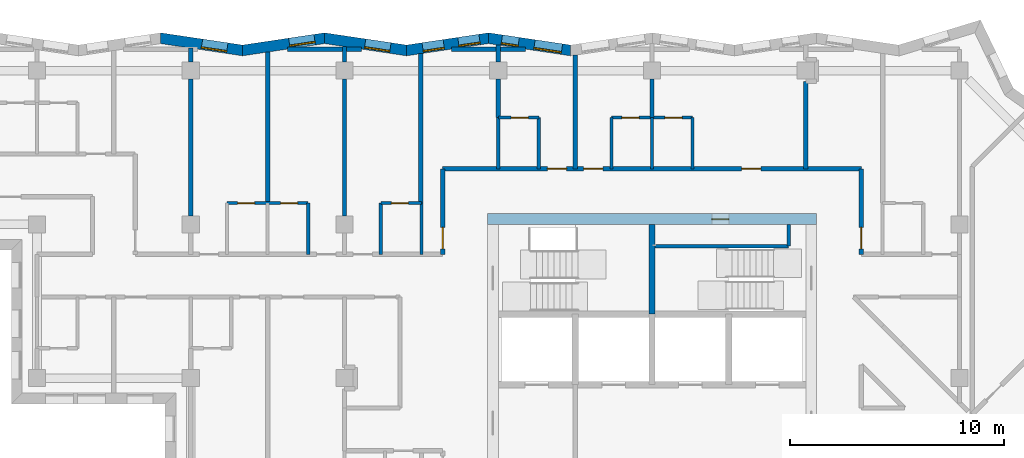
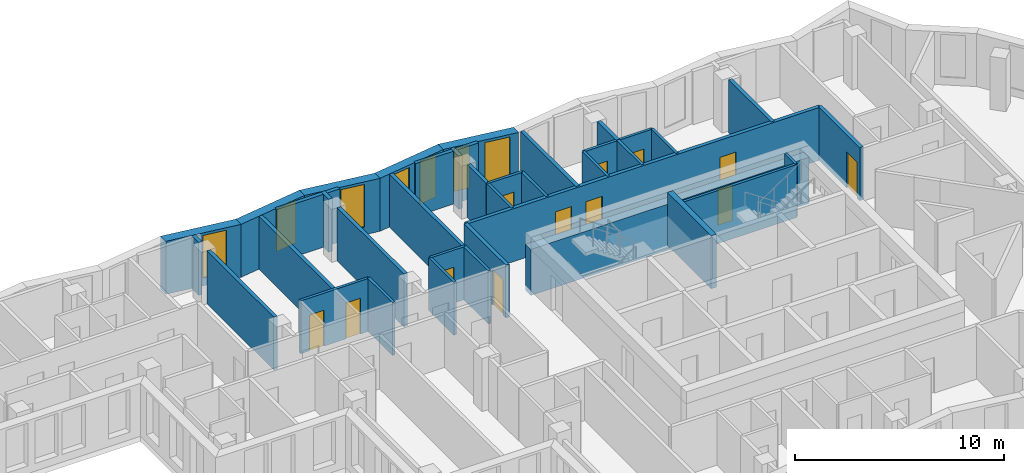
# One storey, part 7 of 13: 37 walls, 12 doors, 7 windows, 19 openings.
"""IFC4 building model written with IfcOpenShell, lengths in metres."""

from ifc_helpers import new_model, si_unit, direction, frame, frame_2d, origin, place, context, subcontext, project, spatial, polyline, rectangle, outline, extrude, material, layer, layer_set, type_object, element, fill, save


model = new_model("IFC4")

# Units and contexts
model_context = context("Model", 3, precision=1e-05, world=origin(), true_north=direction((0.0, 1.0)))
body_context = subcontext(model_context, "Body", "Model", "MODEL_VIEW")
ifc_project = project(units=[si_unit("LENGTHUNIT", "METRE"), si_unit("AREAUNIT", "SQUARE_METRE"), si_unit("VOLUMEUNIT", "CUBIC_METRE"), si_unit("PLANEANGLEUNIT", "RADIAN"), si_unit("MASSUNIT", "GRAM", prefix="KILO")], contexts=[model_context])

# Site, building, storey
site_placement = place(None, origin())
site = spatial("IfcSite", under=ifc_project, at=site_placement, CompositionType="ELEMENT")
building_placement = place(site_placement, origin())
building = spatial("IfcBuilding", under=site, at=building_placement, Name="Windrow Commons", CompositionType="ELEMENT")
storey_placement = place(building_placement, frame((0.0, 0.0, 220.2)))
storey = spatial("IfcBuildingStorey", under=building, at=storey_placement, Name="L60", CompositionType="ELEMENT", Elevation=220.2)

# Wall, openings, windows
ifc_material_1 = material(Name="Brick masonry, red clay brick", Category="masonry")
ifc_layer_1 = layer(ifc_material_1, 0.5)
ifc_layer_set_1 = layer_set([ifc_layer_1], Name="Brick facade wall 500")
wall_type_1 = type_object("IfcWallType", Name="Brick facade wall 500", PredefinedType="SOLIDWALL", material=ifc_layer_set_1)
wall_1_placement = place(storey_placement, frame((60.9845, 72.9472, 0.0), z_axis=(0.0, 0.0, 1.0), x_axis=(-0.9890847468, 0.1473477641, 0.0)))
wall_1 = element("IfcWall", 1, at=wall_1_placement, inside=storey, type_object=wall_type_1, Name="Brick facade wall L60 22", PredefinedType="SOLIDWALL", context=body_context, shape_type="SweptSolid", body=[
    extrude(outline(polyline([(0.0372, -0.25), (3.9192, -0.25), (3.8447, 0.25), (-0.0372, 0.25), (0.0372, -0.25)])), origin(), (0.0, 0.0, 1.0), 3.1),
])
opening_1_placement = place(wall_1_placement, frame((0.4109, 0.0, 0.45)))
opening_1 = element("IfcOpeningElement", 2, at=opening_1_placement, cuts=wall_1, Name="Opening W1Q", PredefinedType="OPENING", context=body_context, shape_type="SweptSolid", body=[
    extrude(rectangle(XDim=1.3, YDim=2.5, at=frame_2d((0.65, 1.25))), frame((0.0, 0.26, 0.0), z_axis=(0.0, -1.0, 0.0), x_axis=(1.0, 0.0, 0.0)), (0.0, 0.0, 1.0), 0.52),
])
opening_2_placement = place(wall_1_placement, frame((2.459, 0.0, 0.45)))
opening_2 = element("IfcOpeningElement", 3, at=opening_2_placement, cuts=wall_1, Name="Opening W1N", PredefinedType="OPENING", context=body_context, shape_type="SweptSolid", body=[
    extrude(rectangle(XDim=0.8, YDim=2.5, at=frame_2d((0.4, 1.25))), frame((0.0, 0.26, 0.0), z_axis=(0.0, -1.0, 0.0), x_axis=(1.0, 0.0, 0.0)), (0.0, 0.0, 1.0), 0.52),
])
ifc_material_2 = material(Name="Clear float glass in anodised aluminium frame", Category="aluminium")
window_type_1 = type_object("IfcWindowType", Name="Window W1N slit 800x2500", PartitioningType="SINGLE_PANEL", PredefinedType="WINDOW", material=ifc_material_2)
window_1_placement = place(opening_2_placement, origin())
window_1 = element("IfcWindow", 4, at=window_1_placement, inside=storey, type_object=window_type_1, Name="Window L60 22.1BA", OverallHeight=2.5, OverallWidth=0.8, PartitioningType="SINGLE_PANEL", PredefinedType="WINDOW", context=body_context, shape_type="SweptSolid", body=[
    extrude(rectangle(XDim=0.8, YDim=2.5, at=frame_2d((0.4, 1.25))), frame((0.0, 0.18, 0.0), z_axis=(0.0, -1.0, 0.0), x_axis=(1.0, 0.0, 0.0)), (0.0, 0.0, 1.0), 0.06),
])
fill(opening_2, window_1)
ifc_material_3 = material(Name="Clear float glass in anodised aluminium frame", Category="aluminium")
window_type_2 = type_object("IfcWindowType", Name="Window W1Q pair 1300x2500", PartitioningType="SINGLE_PANEL", PredefinedType="WINDOW", material=ifc_material_3)
window_2_placement = place(opening_1_placement, origin())
window_2 = element("IfcWindow", 5, at=window_2_placement, inside=storey, type_object=window_type_2, Name="Window L60 22.1A", OverallHeight=2.5, OverallWidth=1.3, PartitioningType="SINGLE_PANEL", PredefinedType="WINDOW", context=body_context, shape_type="SweptSolid", body=[
    extrude(rectangle(XDim=1.3, YDim=2.5, at=frame_2d((0.65, 1.25))), frame((0.0, 0.18, 0.0), z_axis=(0.0, -1.0, 0.0), x_axis=(1.0, 0.0, 0.0)), (0.0, 0.0, 1.0), 0.06),
])
fill(opening_1, window_2)

wall_2_placement = place(storey_placement, frame((57.1449, 73.5192, 0.0), z_axis=(0.0, 0.0, 1.0), x_axis=(-0.9890847468, -0.1473477641, 0.0)))
wall_2 = element("IfcWall", 6, at=wall_2_placement, inside=storey, type_object=wall_type_1, Name="Brick facade wall L60 23", PredefinedType="SOLIDWALL", context=body_context, shape_type="SweptSolid", body=[
    extrude(outline(polyline([(-0.0372, -0.25), (3.8447, -0.25), (3.9192, 0.25), (0.0372, 0.25), (-0.0372, -0.25)])), origin(), (0.0, 0.0, 1.0), 3.1),
])
opening_3_placement = place(wall_2_placement, frame((0.423, 0.0, 0.45)))
opening_3 = element("IfcOpeningElement", 7, at=opening_3_placement, cuts=wall_2, Name="Opening W1S", PredefinedType="OPENING", context=body_context, shape_type="SweptSolid", body=[
    extrude(rectangle(XDim=1.0, YDim=2.5, at=frame_2d((0.5, 1.25))), frame((0.0, 0.26, 0.0), z_axis=(0.0, -1.0, 0.0), x_axis=(1.0, 0.0, 0.0)), (0.0, 0.0, 1.0), 0.52),
])
opening_4_placement = place(wall_2_placement, frame((2.114, 0.0, 0.45)))
opening_4 = element("IfcOpeningElement", 8, at=opening_4_placement, cuts=wall_2, Name="Opening W1S", PredefinedType="OPENING", context=body_context, shape_type="SweptSolid", body=[
    extrude(rectangle(XDim=1.0, YDim=2.5, at=frame_2d((0.5, 1.25))), frame((0.0, 0.26, 0.0), z_axis=(0.0, -1.0, 0.0), x_axis=(1.0, 0.0, 0.0)), (0.0, 0.0, 1.0), 0.52),
])
ifc_material_4 = material(Name="Clear float glass in anodised aluminium frame", Category="aluminium")
window_type_3 = type_object("IfcWindowType", Name="Window W1S slit 1000x2500", PartitioningType="SINGLE_PANEL", PredefinedType="WINDOW", material=ifc_material_4)
window_3_placement = place(opening_3_placement, origin())
window_3 = element("IfcWindow", 9, at=window_3_placement, inside=storey, type_object=window_type_3, Name="Window L60 23.1A", OverallHeight=2.5, OverallWidth=1.0, PartitioningType="SINGLE_PANEL", PredefinedType="WINDOW", context=body_context, shape_type="SweptSolid", body=[
    extrude(rectangle(XDim=1.0, YDim=2.5, at=frame_2d((0.5, 1.25))), frame((0.0, 0.18, 0.0), z_axis=(0.0, -1.0, 0.0), x_axis=(1.0, 0.0, 0.0)), (0.0, 0.0, 1.0), 0.06),
])
fill(opening_3, window_3)
window_4_placement = place(opening_4_placement, origin())
window_4 = element("IfcWindow", 10, at=window_4_placement, inside=storey, type_object=window_type_3, Name="Window L60 23.1B", OverallHeight=2.5, OverallWidth=1.0, PartitioningType="SINGLE_PANEL", PredefinedType="WINDOW", context=body_context, shape_type="SweptSolid", body=[
    extrude(rectangle(XDim=1.0, YDim=2.5, at=frame_2d((0.5, 1.25))), frame((0.0, 0.18, 0.0), z_axis=(0.0, -1.0, 0.0), x_axis=(1.0, 0.0, 0.0)), (0.0, 0.0, 1.0), 0.06),
])
fill(opening_4, window_4)

# Wall, opening, window
wall_3_placement = place(storey_placement, frame((53.3053, 72.9472, 0.0), z_axis=(0.0, 0.0, 1.0), x_axis=(-0.9890847468, 0.1473477641, 0.0)))
wall_3 = element("IfcWall", 11, at=wall_3_placement, inside=storey, type_object=wall_type_1, Name="Brick facade wall L60 24", PredefinedType="SOLIDWALL", context=body_context, shape_type="SweptSolid", body=[
    extrude(outline(polyline([(0.0372, -0.25), (3.9192, -0.25), (3.8447, 0.25), (-0.0372, 0.25), (0.0372, -0.25)])), origin(), (0.0, 0.0, 1.0), 3.1),
])
opening_5_placement = place(wall_3_placement, frame((0.7687, 0.0, 0.45)))
opening_5 = element("IfcOpeningElement", 12, at=opening_5_placement, cuts=wall_3, Name="Opening W7E", PredefinedType="OPENING", context=body_context, shape_type="SweptSolid", body=[
    extrude(rectangle(XDim=1.2, YDim=2.5, at=frame_2d((0.6, 1.25))), frame((0.0, 0.26, 0.0), z_axis=(0.0, -1.0, 0.0), x_axis=(1.0, 0.0, 0.0)), (0.0, 0.0, 1.0), 0.52),
])
ifc_material_5 = material(Name="Clear float glass in anodised aluminium frame", Category="aluminium")
window_type_4 = type_object("IfcWindowType", Name="Window W7 notch 1200x2500", PartitioningType="SINGLE_PANEL", PredefinedType="WINDOW", material=ifc_material_5)
window_5_placement = place(opening_5_placement, origin())
window_5 = element("IfcWindow", 13, at=window_5_placement, inside=storey, type_object=window_type_4, Name="Window L60 24.1", OverallHeight=2.5, OverallWidth=1.2, PartitioningType="SINGLE_PANEL", PredefinedType="WINDOW", context=body_context, shape_type="SweptSolid", body=[
    extrude(rectangle(XDim=1.2, YDim=2.5, at=frame_2d((0.6, 1.25))), frame((0.0, 0.18, 0.0), z_axis=(0.0, -1.0, 0.0), x_axis=(1.0, 0.0, 0.0)), (0.0, 0.0, 1.0), 0.06),
])
fill(opening_5, window_5)

wall_4_placement = place(storey_placement, frame((49.4657, 73.5192, 0.0), z_axis=(0.0, 0.0, 1.0), x_axis=(-0.9890847468, -0.1473477641, 0.0)))
wall_4 = element("IfcWall", 14, at=wall_4_placement, inside=storey, type_object=wall_type_1, Name="Brick facade wall L60 25", PredefinedType="SOLIDWALL", context=body_context, shape_type="SweptSolid", body=[
    extrude(outline(polyline([(-0.0372, -0.25), (3.8447, -0.25), (3.9192, 0.25), (0.0372, 0.25), (-0.0372, -0.25)])), origin(), (0.0, 0.0, 1.0), 3.1),
])
opening_6_placement = place(wall_4_placement, frame((0.4662, 0.0, 0.45)))
opening_6 = element("IfcOpeningElement", 15, at=opening_6_placement, cuts=wall_4, Name="Opening W7E", PredefinedType="OPENING", context=body_context, shape_type="SweptSolid", body=[
    extrude(rectangle(XDim=1.2, YDim=2.5, at=frame_2d((0.6, 1.25))), frame((0.0, 0.26, 0.0), z_axis=(0.0, -1.0, 0.0), x_axis=(1.0, 0.0, 0.0)), (0.0, 0.0, 1.0), 0.52),
])
window_6_placement = place(opening_6_placement, origin())
window_6 = element("IfcWindow", 16, at=window_6_placement, inside=storey, type_object=window_type_4, Name="Window L60 25.1", OverallHeight=2.5, OverallWidth=1.2, PartitioningType="SINGLE_PANEL", PredefinedType="WINDOW", context=body_context, shape_type="SweptSolid", body=[
    extrude(rectangle(XDim=1.2, YDim=2.5, at=frame_2d((0.6, 1.25))), frame((0.0, 0.14, 0.0), z_axis=(0.0, -1.0, 0.0), x_axis=(1.0, 0.0, 0.0)), (0.0, 0.0, 1.0), 0.06),
])
fill(opening_6, window_6)

wall_5_placement = place(storey_placement, frame((45.6261, 72.9472, 0.0), z_axis=(0.0, 0.0, 1.0), x_axis=(-0.9890853061, 0.14734401, 0.0)))
wall_5 = element("IfcWall", 17, at=wall_5_placement, inside=storey, type_object=wall_type_1, Name="Brick facade wall L60 26", PredefinedType="SOLIDWALL", context=body_context, shape_type="SweptSolid", body=[
    extrude(outline(polyline([(0.0372, -0.25), (3.9192, -0.25), (3.8447, 0.25), (-0.0372, 0.25), (0.0372, -0.25)])), origin(), (0.0, 0.0, 1.0), 3.1),
])
opening_7_placement = place(wall_5_placement, frame((0.7264, 0.0, 0.45)))
opening_7 = element("IfcOpeningElement", 18, at=opening_7_placement, cuts=wall_5, Name="Opening W7E", PredefinedType="OPENING", context=body_context, shape_type="SweptSolid", body=[
    extrude(rectangle(XDim=1.2, YDim=2.5, at=frame_2d((0.6, 1.25))), frame((0.0, 0.26, 0.0), z_axis=(0.0, -1.0, 0.0), x_axis=(1.0, 0.0, 0.0)), (0.0, 0.0, 1.0), 0.52),
])
window_7_placement = place(opening_7_placement, origin())
window_7 = element("IfcWindow", 19, at=window_7_placement, inside=storey, type_object=window_type_4, Name="Window L60 26.1", OverallHeight=2.5, OverallWidth=1.2, PartitioningType="SINGLE_PANEL", PredefinedType="WINDOW", context=body_context, shape_type="SweptSolid", body=[
    extrude(rectangle(XDim=1.2, YDim=2.5, at=frame_2d((0.6, 1.25))), frame((0.0, 0.18, 0.0), z_axis=(0.0, -1.0, 0.0), x_axis=(1.0, 0.0, 0.0)), (0.0, 0.0, 1.0), 0.06),
])
fill(opening_7, window_7)

# Wall, openings, doors
ifc_material_6 = material(Name="Blockwork partition", Category="masonry")
ifc_layer_2 = layer(ifc_material_6, 0.2)
ifc_layer_set_2 = layer_set([ifc_layer_2], Name="IW-CORRIDOR-200")
wall_type_2 = type_object("IfcWallType", Name="IW-CORRIDOR-200", PredefinedType="PARTITIONING", material=ifc_layer_set_2)
wall_6_placement = place(storey_placement, frame((55.0, 67.4, 0.0), z_axis=(0.0, 0.0, 1.0), x_axis=(1.0, 0.0, 0.0)))
wall_6 = element("IfcWall", 20, at=wall_6_placement, inside=storey, type_object=wall_type_2, Name="W-L60-W000", PredefinedType="PARTITIONING", context=body_context, shape_type="SweptSolid", body=[
    extrude(rectangle(XDim=19.6, YDim=0.2, at=frame_2d((9.8, 0.0))), origin(), (0.0, 0.0, 1.0), 3.1),
])
opening_8_placement = place(wall_6_placement, frame((4.9, 0.0, 0.0)))
opening_8 = element("IfcOpeningElement", 21, at=opening_8_placement, cuts=wall_6, Name="Opening D109S", PredefinedType="OPENING", context=body_context, shape_type="SweptSolid", body=[
    extrude(rectangle(XDim=0.9, YDim=2.1, at=frame_2d((0.45, 1.05))), frame((0.0, 0.11, 0.0), z_axis=(0.0, -1.0, 0.0), x_axis=(1.0, 0.0, 0.0)), (0.0, 0.0, 1.0), 0.22),
])
opening_9_placement = place(wall_6_placement, frame((6.6, 0.0, 0.0)))
opening_9 = element("IfcOpeningElement", 22, at=opening_9_placement, cuts=wall_6, Name="Opening D109S", PredefinedType="OPENING", context=body_context, shape_type="SweptSolid", body=[
    extrude(rectangle(XDim=0.9, YDim=2.1, at=frame_2d((0.45, 1.05))), frame((0.0, 0.11, 0.0), z_axis=(0.0, -1.0, 0.0), x_axis=(1.0, 0.0, 0.0)), (0.0, 0.0, 1.0), 0.22),
])
opening_10_placement = place(wall_6_placement, frame((14.0006, 0.0, 0.0)))
opening_10 = element("IfcOpeningElement", 23, at=opening_10_placement, cuts=wall_6, Name="Opening D109F", PredefinedType="OPENING", context=body_context, shape_type="SweptSolid", body=[
    extrude(rectangle(XDim=0.9, YDim=2.1, at=frame_2d((0.45, 1.05))), frame((0.0, 0.11, 0.0), z_axis=(0.0, -1.0, 0.0), x_axis=(1.0, 0.0, 0.0)), (0.0, 0.0, 1.0), 0.22),
])
ifc_material_7 = material(Name="Timber door leaf", Category="wood")
door_type_1 = type_object("IfcDoorType", Name="DT-BEDROOM-900", OperationType="SINGLE_SWING_LEFT", PredefinedType="DOOR", material=ifc_material_7)
door_1_placement = place(opening_8_placement, origin())
door_1 = element("IfcDoor", 24, at=door_1_placement, inside=storey, type_object=door_type_1, Name="D-L60-D037", OperationType="SINGLE_SWING_RIGHT", OverallHeight=2.1, OverallWidth=0.9, PredefinedType="DOOR", context=body_context, shape_type="SweptSolid", body=[
    extrude(rectangle(XDim=0.9, YDim=2.1, at=frame_2d((0.45, 1.05))), frame((0.0, 0.025, 0.0), z_axis=(0.0, -1.0, 0.0), x_axis=(1.0, 0.0, 0.0)), (0.0, 0.0, 1.0), 0.05),
])
fill(opening_8, door_1)
door_2_placement = place(opening_9_placement, origin())
door_2 = element("IfcDoor", 25, at=door_2_placement, inside=storey, type_object=door_type_1, Name="D-L60-D039", OperationType="SINGLE_SWING_LEFT", OverallHeight=2.1, OverallWidth=0.9, PredefinedType="DOOR", context=body_context, shape_type="SweptSolid", body=[
    extrude(rectangle(XDim=0.9, YDim=2.1, at=frame_2d((0.45, 1.05))), frame((0.0, 0.025, 0.0), z_axis=(0.0, -1.0, 0.0), x_axis=(1.0, 0.0, 0.0)), (0.0, 0.0, 1.0), 0.05),
])
fill(opening_9, door_2)
door_3_placement = place(opening_10_placement, origin())
door_3 = element("IfcDoor", 26, at=door_3_placement, inside=storey, type_object=door_type_1, Name="D-L60-D041", OperationType="SINGLE_SWING_RIGHT", OverallHeight=2.1, OverallWidth=0.9, PredefinedType="DOOR", context=body_context, shape_type="SweptSolid", body=[
    extrude(rectangle(XDim=0.9, YDim=2.1, at=frame_2d((0.45, 1.05))), frame((0.0, 0.025, 0.0), z_axis=(0.0, -1.0, 0.0), x_axis=(1.0, 0.0, 0.0)), (0.0, 0.0, 1.0), 0.05),
])
fill(opening_10, door_3)

# Wall, opening, door
wall_7_placement = place(storey_placement, frame((55.0, 63.402, 0.0), z_axis=(0.0, 0.0, 1.0), x_axis=(0.0, 1.0, 0.0)))
wall_7 = element("IfcWall", 27, at=wall_7_placement, inside=storey, type_object=wall_type_2, Name="W-L60-W045", PredefinedType="PARTITIONING", context=body_context, shape_type="SweptSolid", body=[
    extrude(rectangle(XDim=3.998, YDim=0.2, at=frame_2d((1.999, 0.0))), origin(), (0.0, 0.0, 1.0), 3.1),
])
opening_11_placement = place(wall_7_placement, frame((0.2545, 0.0, 0.0)))
opening_11 = element("IfcOpeningElement", 28, at=opening_11_placement, cuts=wall_7, Name="Opening D310F", PredefinedType="OPENING", context=body_context, shape_type="SweptSolid", body=[
    extrude(rectangle(XDim=1.0, YDim=2.1, at=frame_2d((0.5, 1.05))), frame((0.0, 0.11, 0.0), z_axis=(0.0, -1.0, 0.0), x_axis=(1.0, 0.0, 0.0)), (0.0, 0.0, 1.0), 0.22),
])
ifc_material_8 = material(Name="Timber door leaf", Category="wood")
door_type_2 = type_object("IfcDoorType", Name="DT-AMENITY-1000", OperationType="SINGLE_SWING_LEFT", PredefinedType="DOOR", material=ifc_material_8)
door_4_placement = place(opening_11_placement, origin())
door_4 = element("IfcDoor", 29, at=door_4_placement, inside=storey, type_object=door_type_2, Name="D-L60-D021", OperationType="SINGLE_SWING_LEFT", OverallHeight=2.1, OverallWidth=1.0, PredefinedType="DOOR", context=body_context, shape_type="SweptSolid", body=[
    extrude(rectangle(XDim=1.0, YDim=2.1, at=frame_2d((0.5, 1.05))), frame((0.0, 0.025, 0.0), z_axis=(0.0, -1.0, 0.0), x_axis=(1.0, 0.0, 0.0)), (0.0, 0.0, 1.0), 0.05),
])
fill(opening_11, door_4)

wall_8_placement = place(storey_placement, frame((74.6, 63.402, 0.0), z_axis=(0.0, 0.0, 1.0), x_axis=(0.0, 1.0, 0.0)))
wall_8 = element("IfcWall", 30, at=wall_8_placement, inside=storey, type_object=wall_type_2, Name="W-L60-W046", PredefinedType="PARTITIONING", context=body_context, shape_type="SweptSolid", body=[
    extrude(rectangle(XDim=3.998, YDim=0.2, at=frame_2d((1.999, 0.0))), origin(), (0.0, 0.0, 1.0), 3.1),
])
opening_12_placement = place(wall_8_placement, frame((0.2545, 0.0, 0.0)))
opening_12 = element("IfcOpeningElement", 31, at=opening_12_placement, cuts=wall_8, Name="Opening D310F", PredefinedType="OPENING", context=body_context, shape_type="SweptSolid", body=[
    extrude(rectangle(XDim=1.0, YDim=2.1, at=frame_2d((0.5, 1.05))), frame((0.0, 0.11, 0.0), z_axis=(0.0, -1.0, 0.0), x_axis=(1.0, 0.0, 0.0)), (0.0, 0.0, 1.0), 0.22),
])
door_5_placement = place(opening_12_placement, origin())
door_5 = element("IfcDoor", 32, at=door_5_placement, inside=storey, type_object=door_type_2, Name="D-L60-D022", OperationType="SINGLE_SWING_RIGHT", OverallHeight=2.1, OverallWidth=1.0, PredefinedType="DOOR", context=body_context, shape_type="SweptSolid", body=[
    extrude(rectangle(XDim=1.0, YDim=2.1, at=frame_2d((0.5, 1.05))), frame((0.0, 0.025, 0.0), z_axis=(0.0, -1.0, 0.0), x_axis=(1.0, 0.0, 0.0)), (0.0, 0.0, 1.0), 0.05),
])
fill(opening_12, door_5)

# Wall, openings, doors
ifc_material_9 = material(Name="Blockwork partition", Category="masonry")
ifc_layer_3 = layer(ifc_material_9, 0.15)
ifc_layer_set_3 = layer_set([ifc_layer_3], Name="IW-ENSUITE-150")
wall_type_3 = type_object("IfcWallType", Name="IW-ENSUITE-150", PredefinedType="PARTITIONING", material=ifc_layer_set_3)
wall_9_placement = place(storey_placement, frame((44.9, 65.8, 0.0), z_axis=(0.0, 0.0, 1.0), x_axis=(1.0, 0.0, 0.0)))
wall_9 = element("IfcWall", 33, at=wall_9_placement, inside=storey, type_object=wall_type_3, Name="W-L60-W048", PredefinedType="PARTITIONING", context=body_context, shape_type="SweptSolid", body=[
    extrude(rectangle(XDim=3.8, YDim=0.15, at=frame_2d((1.9, 0.0))), origin(), (0.0, 0.0, 1.0), 3.1),
])
opening_13_placement = place(wall_9_placement, frame((0.4931, 0.0, 0.0)))
opening_13 = element("IfcOpeningElement", 34, at=opening_13_placement, cuts=wall_9, Name="Opening D208N", PredefinedType="OPENING", context=body_context, shape_type="SweptSolid", body=[
    extrude(rectangle(XDim=0.8, YDim=2.1, at=frame_2d((0.4, 1.05))), frame((0.0, 0.085, 0.0), z_axis=(0.0, -1.0, 0.0), x_axis=(1.0, 0.0, 0.0)), (0.0, 0.0, 1.0), 0.17),
])
opening_14_placement = place(wall_9_placement, frame((2.5069, 0.0, 0.0)))
opening_14 = element("IfcOpeningElement", 35, at=opening_14_placement, cuts=wall_9, Name="Opening D208N", PredefinedType="OPENING", context=body_context, shape_type="SweptSolid", body=[
    extrude(rectangle(XDim=0.8, YDim=2.1, at=frame_2d((0.4, 1.05))), frame((0.0, 0.085, 0.0), z_axis=(0.0, -1.0, 0.0), x_axis=(1.0, 0.0, 0.0)), (0.0, 0.0, 1.0), 0.17),
])
ifc_material_10 = material(Name="Timber door leaf", Category="wood")
door_type_3 = type_object("IfcDoorType", Name="DT-ENSUITE-800", OperationType="SINGLE_SWING_LEFT", PredefinedType="DOOR", material=ifc_material_10)
door_6_placement = place(opening_13_placement, origin())
door_6 = element("IfcDoor", 36, at=door_6_placement, inside=storey, type_object=door_type_3, Name="D-L60-D016", OperationType="SINGLE_SWING_RIGHT", OverallHeight=2.1, OverallWidth=0.8, PredefinedType="DOOR", context=body_context, shape_type="SweptSolid", body=[
    extrude(rectangle(XDim=0.8, YDim=2.1, at=frame_2d((0.4, 1.05))), frame((0.0, 0.025, 0.0), z_axis=(0.0, -1.0, 0.0), x_axis=(1.0, 0.0, 0.0)), (0.0, 0.0, 1.0), 0.05),
])
fill(opening_13, door_6)
door_7_placement = place(opening_14_placement, origin())
door_7 = element("IfcDoor", 37, at=door_7_placement, inside=storey, type_object=door_type_3, Name="D-L60-D018", OperationType="SINGLE_SWING_RIGHT", OverallHeight=2.1, OverallWidth=0.8, PredefinedType="DOOR", context=body_context, shape_type="SweptSolid", body=[
    extrude(rectangle(XDim=0.8, YDim=2.1, at=frame_2d((0.4, 1.05))), frame((0.0, 0.025, 0.0), z_axis=(0.0, -1.0, 0.0), x_axis=(1.0, 0.0, 0.0)), (0.0, 0.0, 1.0), 0.05),
])
fill(opening_14, door_7)

wall_10_placement = place(storey_placement, frame((62.9, 69.8, 0.0), z_axis=(0.0, 0.0, 1.0), x_axis=(1.0, 0.0, 0.0)))
wall_10 = element("IfcWall", 38, at=wall_10_placement, inside=storey, type_object=wall_type_3, Name="W-L60-W049", PredefinedType="PARTITIONING", context=body_context, shape_type="SweptSolid", body=[
    extrude(rectangle(XDim=3.8, YDim=0.15, at=frame_2d((1.9, 0.0))), origin(), (0.0, 0.0, 1.0), 3.1),
])
opening_15_placement = place(wall_10_placement, frame((0.4931, 0.0, 0.0)))
opening_15 = element("IfcOpeningElement", 39, at=opening_15_placement, cuts=wall_10, Name="Opening D208N", PredefinedType="OPENING", context=body_context, shape_type="SweptSolid", body=[
    extrude(rectangle(XDim=0.8, YDim=2.1, at=frame_2d((0.4, 1.05))), frame((0.0, 0.085, 0.0), z_axis=(0.0, -1.0, 0.0), x_axis=(1.0, 0.0, 0.0)), (0.0, 0.0, 1.0), 0.17),
])
opening_16_placement = place(wall_10_placement, frame((2.5069, 0.0, 0.0)))
opening_16 = element("IfcOpeningElement", 40, at=opening_16_placement, cuts=wall_10, Name="Opening D208N", PredefinedType="OPENING", context=body_context, shape_type="SweptSolid", body=[
    extrude(rectangle(XDim=0.8, YDim=2.1, at=frame_2d((0.4, 1.05))), frame((0.0, 0.085, 0.0), z_axis=(0.0, -1.0, 0.0), x_axis=(1.0, 0.0, 0.0)), (0.0, 0.0, 1.0), 0.17),
])
door_8_placement = place(opening_15_placement, origin())
door_8 = element("IfcDoor", 41, at=door_8_placement, inside=storey, type_object=door_type_3, Name="D-L60-D040", OperationType="SINGLE_SWING_RIGHT", OverallHeight=2.1, OverallWidth=0.8, PredefinedType="DOOR", context=body_context, shape_type="SweptSolid", body=[
    extrude(rectangle(XDim=0.8, YDim=2.1, at=frame_2d((0.4, 1.05))), frame((0.0, 0.025, 0.0), z_axis=(0.0, -1.0, 0.0), x_axis=(1.0, 0.0, 0.0)), (0.0, 0.0, 1.0), 0.05),
])
fill(opening_15, door_8)
door_9_placement = place(opening_16_placement, origin())
door_9 = element("IfcDoor", 42, at=door_9_placement, inside=storey, type_object=door_type_3, Name="D-L60-D042", OperationType="SINGLE_SWING_RIGHT", OverallHeight=2.1, OverallWidth=0.8, PredefinedType="DOOR", context=body_context, shape_type="SweptSolid", body=[
    extrude(rectangle(XDim=0.8, YDim=2.1, at=frame_2d((0.4, 1.05))), frame((0.0, 0.025, 0.0), z_axis=(0.0, -1.0, 0.0), x_axis=(1.0, 0.0, 0.0)), (0.0, 0.0, 1.0), 0.05),
])
fill(opening_16, door_9)

# Walls
for number, where, z_axis, x_axis, name in (
    (43, (48.7, 63.4, 0.0), (0.0, 0.0, 1.0), (0.0, 1.0, 0.0), "W-L60-W086"),
    (44, (52.1, 63.4, 0.0), (0.0, 0.0, 1.0), (0.0, 1.0, 0.0), "W-L60-W087"),
    (45, (54.0, 63.4, 0.0), (0.0, 0.0, 1.0), (0.0, 1.0, 0.0), "W-L60-W088"),
    (46, (59.5, 67.4, 0.0), (0.0, 0.0, 1.0), (0.0, 1.0, 0.0), "W-L60-W096"),
    (47, (57.6, 67.4, 0.0), (0.0, 0.0, 1.0), (0.0, 1.0, 0.0), "W-L60-W097"),
    (48, (62.9, 67.4, 0.0), (0.0, 0.0, 1.0), (0.0, 1.0, 0.0), "W-L60-W098"),
    (49, (64.8, 67.4, 0.0), (0.0, 0.0, 1.0), (0.0, 1.0, 0.0), "W-L60-W099"),
    (50, (66.7, 67.4, 0.0), (0.0, 0.0, 1.0), (0.0, 1.0, 0.0), "W-L60-W100"),
):
    element("IfcWall", number, at=place(storey_placement, frame(where, z_axis=z_axis, x_axis=x_axis)), inside=storey, type_object=wall_type_3, Name=name, PredefinedType="PARTITIONING", context=body_context, shape_type="SweptSolid", body=[
        extrude(rectangle(XDim=2.4, YDim=0.15, at=frame_2d((1.2, 0.0))), origin(), (0.0, 0.0, 1.0), 3.1),
    ])

# Wall, opening, door
wall_11_placement = place(storey_placement, frame((52.1, 65.8, 0.0), z_axis=(0.0, 0.0, 1.0), x_axis=(1.0, 0.0, 0.0)))
wall_11 = element("IfcWall", 51, at=wall_11_placement, inside=storey, type_object=wall_type_3, Name="W-L60-W121", PredefinedType="PARTITIONING", context=body_context, shape_type="SweptSolid", body=[
    extrude(rectangle(XDim=1.9, YDim=0.15, at=frame_2d((0.95, 0.0))), origin(), (0.0, 0.0, 1.0), 3.1),
])
opening_17_placement = place(wall_11_placement, frame((0.4931, 0.0, 0.0)))
opening_17 = element("IfcOpeningElement", 52, at=opening_17_placement, cuts=wall_11, Name="Opening D208N", PredefinedType="OPENING", context=body_context, shape_type="SweptSolid", body=[
    extrude(rectangle(XDim=0.8, YDim=2.1, at=frame_2d((0.4, 1.05))), frame((0.0, 0.085, 0.0), z_axis=(0.0, -1.0, 0.0), x_axis=(1.0, 0.0, 0.0)), (0.0, 0.0, 1.0), 0.17),
])
door_10_placement = place(opening_17_placement, origin())
door_10 = element("IfcDoor", 53, at=door_10_placement, inside=storey, type_object=door_type_3, Name="D-L60-D020", OperationType="SINGLE_SWING_RIGHT", OverallHeight=2.1, OverallWidth=0.8, PredefinedType="DOOR", context=body_context, shape_type="SweptSolid", body=[
    extrude(rectangle(XDim=0.8, YDim=2.1, at=frame_2d((0.4, 1.05))), frame((0.0, 0.025, 0.0), z_axis=(0.0, -1.0, 0.0), x_axis=(1.0, 0.0, 0.0)), (0.0, 0.0, 1.0), 0.05),
])
fill(opening_17, door_10)

wall_12_placement = place(storey_placement, frame((57.6, 69.8, 0.0), z_axis=(0.0, 0.0, 1.0), x_axis=(1.0, 0.0, 0.0)))
wall_12 = element("IfcWall", 54, at=wall_12_placement, inside=storey, type_object=wall_type_3, Name="W-L60-W124", PredefinedType="PARTITIONING", context=body_context, shape_type="SweptSolid", body=[
    extrude(rectangle(XDim=1.9, YDim=0.15, at=frame_2d((0.95, 0.0))), origin(), (0.0, 0.0, 1.0), 3.1),
])
opening_18_placement = place(wall_12_placement, frame((0.6069, 0.0, 0.0)))
opening_18 = element("IfcOpeningElement", 55, at=opening_18_placement, cuts=wall_12, Name="Opening D208N", PredefinedType="OPENING", context=body_context, shape_type="SweptSolid", body=[
    extrude(rectangle(XDim=0.8, YDim=2.1, at=frame_2d((0.4, 1.05))), frame((0.0, 0.085, 0.0), z_axis=(0.0, -1.0, 0.0), x_axis=(1.0, 0.0, 0.0)), (0.0, 0.0, 1.0), 0.17),
])
door_11_placement = place(opening_18_placement, origin())
door_11 = element("IfcDoor", 56, at=door_11_placement, inside=storey, type_object=door_type_3, Name="D-L60-D038", OperationType="SINGLE_SWING_RIGHT", OverallHeight=2.1, OverallWidth=0.8, PredefinedType="DOOR", context=body_context, shape_type="SweptSolid", body=[
    extrude(rectangle(XDim=0.8, YDim=2.1, at=frame_2d((0.4, 1.05))), frame((0.0, 0.025, 0.0), z_axis=(0.0, -1.0, 0.0), x_axis=(1.0, 0.0, 0.0)), (0.0, 0.0, 1.0), 0.05),
])
fill(opening_18, door_11)

# Walls
ifc_material_11 = material(Name="Blockwork partition", Category="masonry")
ifc_layer_4 = layer(ifc_material_11, 0.2)
ifc_layer_set_4 = layer_set([ifc_layer_4], Name="IW-PARTY-200")
wall_type_4 = type_object("IfcWallType", Name="IW-PARTY-200", PredefinedType="PARTITIONING", material=ifc_layer_set_4)
wall_13_placement = place(storey_placement, frame((46.8, 65.8, 0.0), z_axis=(0.0, 0.0, 1.0), x_axis=(0.0, 1.0, 0.0)))
element("IfcWall", 57, at=wall_13_placement, inside=storey, type_object=wall_type_4, Name="W-L60-W014", PredefinedType="PARTITIONING", context=body_context, shape_type="SweptSolid", body=[
    extrude(rectangle(XDim=7.0694, YDim=0.2, at=frame_2d((3.5347, 0.0))), origin(), (0.0, 0.0, 1.0), 3.1),
])
wall_14_placement = place(storey_placement, frame((53.9731, 65.8, 0.0), z_axis=(0.0, 0.0, 1.0), x_axis=(0.0, 1.0, 0.0)))
element("IfcWall", 58, at=wall_14_placement, inside=storey, type_object=wall_type_4, Name="W-L60-W016", PredefinedType="PARTITIONING", context=body_context, shape_type="SweptSolid", body=[
    extrude(rectangle(XDim=6.994, YDim=0.2, at=frame_2d((3.497, 0.0))), origin(), (0.0, 0.0, 1.0), 3.1),
])
for number, where, z_axis, x_axis, name in (
    (59, (43.2, 65.2, 0.0), (0.0, 0.0, 1.0), (0.0, 1.0, 0.0), "W-L60-W022"),
    (60, (50.4, 65.2, 0.0), (0.0, 0.0, 1.0), (0.0, 1.0, 0.0), "W-L60-W023"),
):
    element("IfcWall", number, at=place(storey_placement, frame(where, z_axis=z_axis, x_axis=x_axis)), inside=storey, type_object=wall_type_4, Name=name, PredefinedType="PARTITIONING", context=body_context, shape_type="SweptSolid", body=[
        extrude(rectangle(XDim=6.4, YDim=0.2, at=frame_2d((3.2, 0.0))), origin(), (0.0, 0.0, 1.0), 3.1),
    ])
wall_15_placement = place(storey_placement, frame((61.2, 67.4, 0.0), z_axis=(0.0, 0.0, 1.0), x_axis=(0.0, 1.0, 0.0)))
element("IfcWall", 61, at=wall_15_placement, inside=storey, type_object=wall_type_4, Name="W-L60-W028", PredefinedType="PARTITIONING", context=body_context, shape_type="SweptSolid", body=[
    extrude(rectangle(XDim=5.3266, YDim=0.2, at=frame_2d((2.6633, 0.0))), origin(), (0.0, 0.0, 1.0), 3.1),
])
wall_16_placement = place(storey_placement, frame((72.0, 67.4, 0.0), z_axis=(0.0, 0.0, 1.0), x_axis=(0.0, 1.0, 0.0)))
element("IfcWall", 62, at=wall_16_placement, inside=storey, type_object=wall_type_4, Name="W-L60-W044", PredefinedType="PARTITIONING", context=body_context, shape_type="SweptSolid", body=[
    extrude(rectangle(XDim=4.096, YDim=0.2, at=frame_2d((2.048, 0.0))), origin(), (0.0, 0.0, 1.0), 3.1),
])
for number, where, z_axis, x_axis, name in (
    (63, (47.7269, 73.0, 0.0), (0.0, 0.0, 1.0), (1.0, 0.0, 0.0), "W-L60-W057"),
    (64, (55.4061, 73.0, 0.0), (0.0, 0.0, 1.0), (1.0, 0.0, 0.0), "W-L60-W058"),
):
    element("IfcWall", number, at=place(storey_placement, frame(where, z_axis=z_axis, x_axis=x_axis)), inside=storey, type_object=wall_type_4, Name=name, PredefinedType="PARTITIONING", context=body_context, shape_type="SweptSolid", body=[
        extrude(rectangle(XDim=3.4776, YDim=0.2, at=frame_2d((1.7388, 0.0))), origin(), (0.0, 0.0, 1.0), 3.1),
    ])
for number, where, z_axis, x_axis, name in (
    (65, (57.6, 69.8, 0.0), (0.0, 0.0, 1.0), (0.0, 1.0, 0.0), "W-L60-W128"),
    (66, (64.8, 69.8, 0.0), (0.0, 0.0, 1.0), (0.0, 1.0, 0.0), "W-L60-W130"),
):
    element("IfcWall", number, at=place(storey_placement, frame(where, z_axis=z_axis, x_axis=x_axis)), inside=storey, type_object=wall_type_4, Name=name, PredefinedType="PARTITIONING", context=body_context, shape_type="SweptSolid", body=[
        extrude(rectangle(XDim=1.8, YDim=0.2, at=frame_2d((0.9, 0.0))), origin(), (0.0, 0.0, 1.0), 3.1),
    ])
wall_17_placement = place(storey_placement, frame((50.4, 72.4, 0.0), z_axis=(0.0, 0.0, 1.0), x_axis=(0.0, 1.0, 0.0)))
element("IfcWall", 67, at=wall_17_placement, inside=storey, type_object=wall_type_4, Name="W-L60-W151", PredefinedType="PARTITIONING", context=body_context, shape_type="SweptSolid", body=[
    extrude(rectangle(XDim=0.7273, YDim=0.2, at=frame_2d((0.3636, 0.0))), origin(), (0.0, 0.0, 1.0), 3.1),
])
wall_18_placement = place(storey_placement, frame((43.2, 72.4, 0.0), z_axis=(0.0, 0.0, 1.0), x_axis=(0.0, 1.0, 0.0)))
element("IfcWall", 68, at=wall_18_placement, inside=storey, type_object=wall_type_4, Name="W-L60-W158", PredefinedType="PARTITIONING", context=body_context, shape_type="SweptSolid", body=[
    extrude(rectangle(XDim=0.6559, YDim=0.2, at=frame_2d((0.328, 0.0))), origin(), (0.0, 0.0, 1.0), 3.1),
])
wall_19_placement = place(storey_placement, frame((57.6, 72.4, 0.0), z_axis=(0.0, 0.0, 1.0), x_axis=(0.0, 1.0, 0.0)))
element("IfcWall", 69, at=wall_19_placement, inside=storey, type_object=wall_type_4, Name="W-L60-W159", PredefinedType="PARTITIONING", context=body_context, shape_type="SweptSolid", body=[
    extrude(rectangle(XDim=0.7987, YDim=0.2, at=frame_2d((0.3993, 0.0))), origin(), (0.0, 0.0, 1.0), 3.1),
])

# Wall, opening, door
ifc_material_12 = material(Name="Concrete C40/50", Category="concrete")
ifc_layer_5 = layer(ifc_material_12, 0.5)
ifc_layer_set_5 = layer_set([ifc_layer_5], Name="RC CORE WALL 500 C40/50")
wall_type_5 = type_object("IfcWallType", Name="RC CORE WALL 500 C40/50", PredefinedType="SHEAR", material=ifc_layer_set_5)
wall_20_placement = place(storey_placement, frame((57.1, 65.05, -0.3), z_axis=(0.0, 0.0, 1.0), x_axis=(1.0, 0.0, 0.0)))
wall_20 = element("IfcWall", 70, at=wall_20_placement, inside=storey, type_object=wall_type_5, Name="Core A wall outer-N", PredefinedType="SHEAR", context=body_context, shape_type="SweptSolid", body=[
    extrude(rectangle(XDim=15.4, YDim=0.5, at=frame_2d((7.7, 0.0))), origin(), (0.0, 0.0, 1.0), 2.7),
])
opening_19_placement = place(wall_20_placement, frame((10.5, 0.0, 0.3)))
opening_19 = element("IfcOpeningElement", 71, at=opening_19_placement, cuts=wall_20, Name="Opening D9", PredefinedType="OPENING", context=body_context, shape_type="SweptSolid", body=[
    extrude(rectangle(XDim=0.8, YDim=2.1, at=frame_2d((0.4, 1.05))), frame((0.0, 0.26, 0.0), z_axis=(0.0, -1.0, 0.0), x_axis=(1.0, 0.0, 0.0)), (0.0, 0.0, 1.0), 0.52),
])
ifc_material_13 = material(Name="Steel fire door leaf", Category="steel")
door_type_4 = type_object("IfcDoorType", Name="Riser access door 800", OperationType="SINGLE_SWING_LEFT", PredefinedType="DOOR", material=ifc_material_13)
door_12_placement = place(opening_19_placement, origin())
door_12 = element("IfcDoor", 72, at=door_12_placement, inside=storey, type_object=door_type_4, Name="Riser access door", OperationType="SINGLE_SWING_RIGHT", OverallHeight=2.1, OverallWidth=0.8, PredefinedType="DOOR", context=body_context, shape_type="SweptSolid", body=[
    extrude(rectangle(XDim=0.8, YDim=2.1, at=frame_2d((0.4, 1.05))), frame((0.0, 0.025, 0.0), z_axis=(0.0, -1.0, 0.0), x_axis=(1.0, 0.0, 0.0)), (0.0, 0.0, 1.0), 0.05),
])
fill(opening_19, door_12)

# Walls
ifc_material_14 = material(Name="Concrete C40/50", Category="concrete")
ifc_layer_6 = layer(ifc_material_14, 0.3)
ifc_layer_set_6 = layer_set([ifc_layer_6], Name="RC SHAFT WALL 300 C40/50")
wall_type_6 = type_object("IfcWallType", Name="RC SHAFT WALL 300 C40/50", PredefinedType="SOLIDWALL", material=ifc_layer_set_6)
wall_21_placement = place(storey_placement, frame((64.8, 60.6, 0.0), z_axis=(0.0, 0.0, 1.0), x_axis=(0.0, 1.0, 0.0)))
element("IfcWall", 73, at=wall_21_placement, inside=storey, type_object=wall_type_6, Name="Core A wall stair-mid", PredefinedType="SOLIDWALL", context=body_context, shape_type="SweptSolid", body=[
    extrude(rectangle(XDim=4.2, YDim=0.3, at=frame_2d((2.1, 0.0))), origin(), (0.0, 0.0, 1.0), 3.1),
])
ifc_material_15 = material(Name="Blockwork partition", Category="masonry")
ifc_layer_7 = layer(ifc_material_15, 0.15)
ifc_layer_set_7 = layer_set([ifc_layer_7], Name="Riser partition 150")
wall_type_7 = type_object("IfcWallType", Name="Riser partition 150", PredefinedType="PARTITIONING", material=ifc_layer_set_7)
wall_22_placement = place(storey_placement, frame((64.95, 63.78, 0.0), z_axis=(0.0, 0.0, 1.0), x_axis=(1.0, 0.0, 0.0)))
element("IfcWall", 74, at=wall_22_placement, inside=storey, type_object=wall_type_7, Name="W-core-strip-A-L60", PredefinedType="PARTITIONING", context=body_context, shape_type="SweptSolid", body=[
    extrude(rectangle(XDim=6.25, YDim=0.15, at=frame_2d((3.125, 0.0))), origin(), (0.0, 0.0, 1.0), 3.1),
])
wall_23_placement = place(storey_placement, frame((71.2, 63.78, 0.0), z_axis=(0.0, 0.0, 1.0), x_axis=(0.0, 1.0, 0.0)))
element("IfcWall", 75, at=wall_23_placement, inside=storey, type_object=wall_type_7, Name="W-core-stripx-A-L60-1", PredefinedType="PARTITIONING", context=body_context, shape_type="SweptSolid", body=[
    extrude(rectangle(XDim=1.02, YDim=0.15, at=frame_2d((0.51, 0.0))), origin(), (0.0, 0.0, 1.0), 3.1),
])

save(model, "model.ifc")
